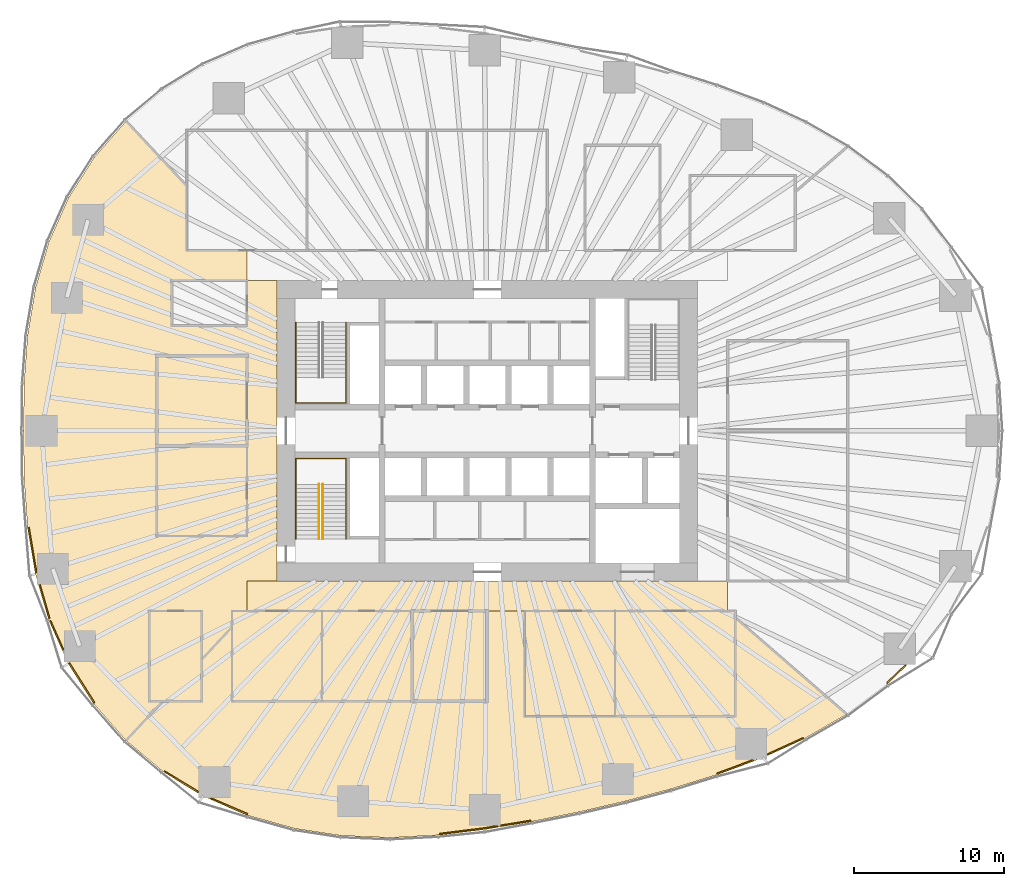
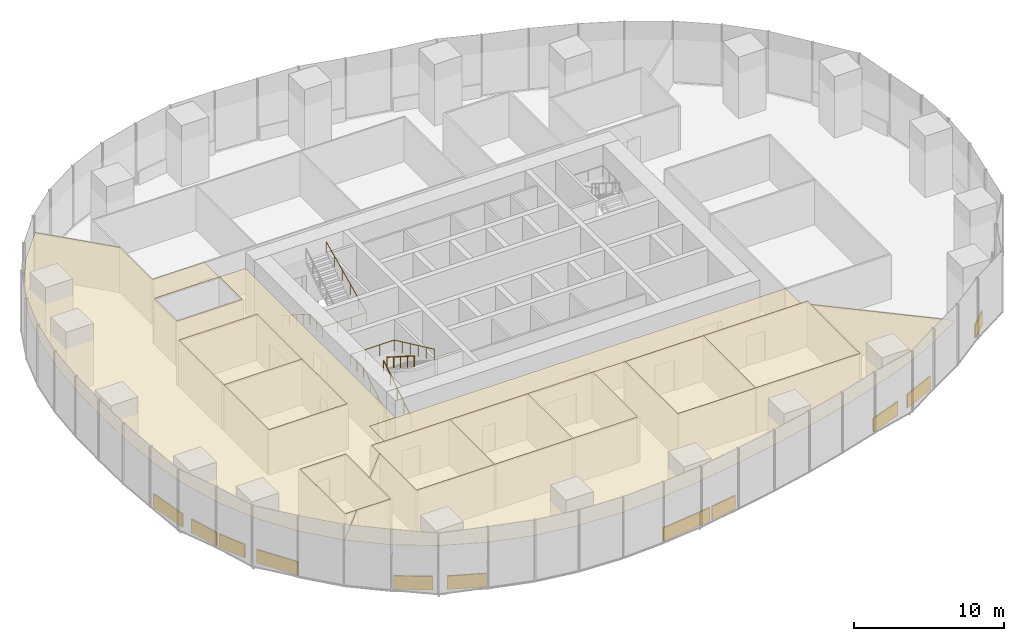
# One storey, part 17 of 20: 23 coverings, 4 railings.
"""IFC4 building model written with IfcOpenShell, lengths in metres."""

from ifc_helpers import new_model, si_unit, direction, frame, origin, origin_2d, place, context, subcontext, project, spatial, polyline, rectangle, circle, outline, extrude, material, layer, layer_set, type_object, element, save


model = new_model("IFC4")

# Units and contexts
model_context = context("Model", 3, precision=1e-05, world=origin(), true_north=direction((0.0, 1.0)))
body_context = subcontext(model_context, "Body", "Model", "MODEL_VIEW")
ifc_project = project(units=[si_unit("LENGTHUNIT", "METRE"), si_unit("AREAUNIT", "SQUARE_METRE"), si_unit("VOLUMEUNIT", "CUBIC_METRE"), si_unit("PLANEANGLEUNIT", "RADIAN"), si_unit("MASSUNIT", "GRAM", prefix="KILO")], contexts=[model_context])

# Site, building, storey
site_placement = place(None, origin())
site = spatial("IfcSite", under=ifc_project, at=site_placement, CompositionType="ELEMENT")
building_placement = place(site_placement, origin())
building = spatial("IfcBuilding", under=site, at=building_placement, Name="Ghaith Harvest Tower", CompositionType="ELEMENT")
storey_placement = place(building_placement, frame((0.0, 0.0, 30.0)))
storey = spatial("IfcBuildingStorey", under=building, at=storey_placement, Name="L06", CompositionType="ELEMENT", Elevation=30.0)

# Coverings
ifc_material_1 = material(Name="Mineral fibre ceiling tile", Category="gypsum")
ifc_layer_1 = layer(ifc_material_1, 0.02490234375)
ifc_layer_set_1 = layer_set([ifc_layer_1], Name="CEILING C2")
covering_type_1 = type_object("IfcCoveringType", Name="CEILING C2", PredefinedType="CEILING", material=ifc_layer_set_1)
covering_1_placement = place(storey_placement, frame((0.0, 0.0, 3.60009765625)))
element("IfcCovering", 1, at=covering_1_placement, inside=storey, type_object=covering_type_1, Name="Ceiling L06-07", PredefinedType="CEILING", context=body_context, shape_type="SweptSolid", body=[
    extrude(outline(polyline([(-17.0, -18.0), (-11.0, -18.0), (-11.0, -12.0), (-17.0, -12.0), (-17.0, -18.0)])), origin(), (0.0, 0.0, 1.0), 0.02490234375),
])
covering_2_placement = place(storey_placement, frame((0.0, 0.0, 3.60009765625)))
element("IfcCovering", 2, at=covering_2_placement, inside=storey, type_object=covering_type_1, Name="Ceiling L06-08", PredefinedType="CEILING", context=body_context, shape_type="SweptSolid", body=[
    extrude(outline(polyline([(-11.0, -18.0), (-5.0, -18.0), (-5.0, -12.0), (-11.0, -12.0), (-11.0, -18.0)])), origin(), (0.0, 0.0, 1.0), 0.02490234375),
])
covering_3_placement = place(storey_placement, frame((0.0, 0.0, 3.60009765625)))
element("IfcCovering", 3, at=covering_3_placement, inside=storey, type_object=covering_type_1, Name="Ceiling L06-09", PredefinedType="CEILING", context=body_context, shape_type="SweptSolid", body=[
    extrude(outline(polyline([(-5.0, -18.0), (0.0, -18.0), (0.0, -12.0), (-5.0, -12.0), (-5.0, -18.0)])), origin(), (0.0, 0.0, 1.0), 0.02490234375),
])
covering_4_placement = place(storey_placement, frame((0.0, 0.0, 3.60009765625)))
element("IfcCovering", 4, at=covering_4_placement, inside=storey, type_object=covering_type_1, Name="Ceiling L06-10", PredefinedType="CEILING", context=body_context, shape_type="SweptSolid", body=[
    extrude(outline(polyline([(2.5, -19.0), (8.5, -19.0), (8.5, -12.0), (2.5, -12.0), (2.5, -19.0)])), origin(), (0.0, 0.0, 1.0), 0.02490234375),
])
covering_5_placement = place(storey_placement, frame((0.0, 0.0, 3.60009765625)))
element("IfcCovering", 5, at=covering_5_placement, inside=storey, type_object=covering_type_1, Name="Ceiling L06-11", PredefinedType="CEILING", context=body_context, shape_type="SweptSolid", body=[
    extrude(outline(polyline([(8.5, -19.0), (16.5, -19.0), (16.5, -12.0), (8.5, -12.0), (8.5, -19.0)])), origin(), (0.0, 0.0, 1.0), 0.02490234375),
])
covering_6_placement = place(storey_placement, frame((0.0, 0.0, 3.60009765625)))
element("IfcCovering", 6, at=covering_6_placement, inside=storey, type_object=covering_type_1, Name="Ceiling L06-12", PredefinedType="CEILING", context=body_context, shape_type="SweptSolid", body=[
    extrude(outline(polyline([(-22.0, -7.0), (-16.0, -7.0), (-16.0, -1.0), (-22.0, -1.0), (-22.0, -7.0)])), origin(), (0.0, 0.0, 1.0), 0.02490234375),
])
covering_7_placement = place(storey_placement, frame((0.0, 0.0, 3.60009765625)))
element("IfcCovering", 7, at=covering_7_placement, inside=storey, type_object=covering_type_1, Name="Ceiling L06-13", PredefinedType="CEILING", context=body_context, shape_type="SweptSolid", body=[
    extrude(outline(polyline([(-22.0, -1.0), (-16.0, -1.0), (-16.0, 5.0), (-22.0, 5.0), (-22.0, -1.0)])), origin(), (0.0, 0.0, 1.0), 0.02490234375),
])
covering_8_placement = place(storey_placement, frame((0.0, 0.0, 3.60009765625)))
element("IfcCovering", 8, at=covering_8_placement, inside=storey, type_object=covering_type_1, Name="Ceiling L06-15", PredefinedType="CEILING", context=body_context, shape_type="SweptSolid", body=[
    extrude(outline(polyline([(-22.5, -18.0), (-19.0, -18.0), (-19.0, -12.0), (-22.5, -12.0), (-22.5, -18.0)])), origin(), (0.0, 0.0, 1.0), 0.02490234375),
])
covering_9_placement = place(storey_placement, frame((0.0, 0.0, 3.60009765625)))
element("IfcCovering", 9, at=covering_9_placement, inside=storey, type_object=covering_type_1, Name="Ceiling L06-C2", PredefinedType="CEILING", context=body_context, shape_type="SweptSolid", body=[
    extrude(outline(polyline([(-16.0, -10.0), (16.0, -10.0), (16.0, -12.0), (-16.0, -12.0), (-16.0, -10.0)])), origin(), (0.0, 0.0, 1.0), 0.02490234375),
])
covering_10_placement = place(storey_placement, frame((0.0, 0.0, 3.60009765625)))
element("IfcCovering", 10, at=covering_10_placement, inside=storey, type_object=covering_type_1, Name="Ceiling L06-S1", PredefinedType="CEILING", context=body_context, shape_type="SweptSolid", body=[
    extrude(outline(polyline([(-12.828125, -26.476806640625), (-15.907958984375, -25.614501953125), (-18.8935546875, -24.32763671875), (-21.59912109375, -22.671142578125), (-24.04833984375, -20.618408203125), (-21.60302734375, -18.0), (-19.0, -18.0), (-19.0, -15.21240234375), (-17.0, -13.07080078125), (-17.0, -18.0), (0.0, -18.0), (0.0, -12.0), (2.5, -12.0), (2.5, -19.0), (16.5, -19.0), (16.5, -12.43359375), (23.92431640625, -18.873046875), (21.149169921875, -20.469482421875), (18.34521484375, -21.7548828125), (15.22119140625, -22.916259765625), (12.1796875, -23.857666015625), (9.21533203125, -24.65087890625), (6.10888671875, -25.378662109375), (2.99560546875, -26.004150390625), (-0.181396484375, -26.527099609375), (-3.24755859375, -26.91064453125), (-6.4375, -27.0849609375), (-9.733642578125, -26.949951171875), (-12.828125, -26.476806640625)])), origin(), (0.0, 0.0, 1.0), 0.02490234375),
])
covering_11_placement = place(storey_placement, frame((0.0, 0.0, 3.60009765625)))
element("IfcCovering", 11, at=covering_11_placement, inside=storey, type_object=covering_type_1, Name="Ceiling L06-W1", PredefinedType="CEILING", context=body_context, shape_type="SweptSolid", body=[
    extrude(outline(polyline([(-27.881591796875, -15.507080078125), (-29.182373046875, -12.587890625), (-30.073974609375, -9.531005859375), (-30.606689453125, -6.35107421875), (-30.837158203125, -3.165771484375), (-30.875, 0.0), (-30.837158203125, 3.165771484375), (-30.606689453125, 6.35107421875), (-30.073974609375, 9.531005859375), (-29.182373046875, 12.587890625), (-27.881591796875, 15.507080078125), (-26.16455078125, 18.20556640625), (-24.04833984375, 20.618408203125), (-20.0, 16.283203125), (-20.0, 12.0), (-16.0, 12.0), (-16.0, 10.010009765625), (-21.010009765625, 10.010009765625), (-21.010009765625, 6.989990234375), (-15.989990234375, 6.989990234375), (-15.989990234375, 10.0), (-14.0, 10.0), (-14.0, -10.0), (-16.0, -10.0), (-16.0, -12.0), (-17.0, -12.0), (-17.0, -13.07080078125), (-19.0, -15.21240234375), (-19.0, -12.0), (-22.5, -12.0), (-22.5, -18.0), (-21.60302734375, -18.0), (-24.04833984375, -20.618408203125), (-26.16455078125, -18.20556640625), (-27.881591796875, -15.507080078125)]), holes=[polyline([(-16.0, -7.0), (-16.0, 5.0), (-22.0, 5.0), (-22.0, -7.0), (-16.0, -7.0)])]), origin(), (0.0, 0.0, 1.0), 0.02490234375),
])

# Railings
ifc_material_2 = material(Name="Steel, black powder-coated", Category="steel")
railing_type = type_object("IfcRailingType", Name="HANDRAIL HR1", PredefinedType="HANDRAIL", material=ifc_material_2)
railing_1_placement = place(storey_placement, frame((-12.75, 7.199951171875, 0.178466796875)))
element("IfcRailing", 12, at=railing_1_placement, inside=storey, type_object=railing_type, Name="Handrail HR1 stair ST1 L06 wall side", PredefinedType="HANDRAIL", context=body_context, shape_type="SweptSolid", body=[
    extrude(circle(Radius=0.02392578125, at=origin_2d()), frame((0.0, 0.0, 0.8759765625), z_axis=(0.0, -0.843111507901, 0.53773877045), x_axis=(1.0, 0.0, 0.0)), (0.0, 0.0, 1.0), 4.317138671875),
    extrude(circle(Radius=0.02392578125, at=origin_2d()), frame((0.0, -3.639892578125, 3.197265625), z_axis=(0.0, -1.0, 0.0), x_axis=(1.0, 0.0, 0.0)), (0.0, 0.0, 1.0), 1.7099609375),
    extrude(circle(Radius=0.02392578125, at=origin_2d()), frame((0.0, -5.349853515625, 3.197265625), z_axis=(1.0, 0.0, 0.0), x_axis=(0.0, 1.0, 0.0)), (0.0, 0.0, 1.0), 3.35009765625),
    extrude(circle(Radius=0.02392578125, at=origin_2d()), frame((3.35009765625, -5.349853515625, 3.197265625), z_axis=(0.0, 0.905962265858, 0.423358444868), x_axis=(-1.0, 0.0, 0.0)), (0.0, 0.0, 1.0), 5.9052734375),
    extrude(circle(Radius=0.02099609375, at=origin_2d()), origin(), (0.0, 0.0, 1.0), 0.851806640625),
    extrude(circle(Radius=0.02099609375, at=origin_2d()), frame((0.0, -0.909912109375, 0.580322265625)), (0.0, 0.0, 1.0), 0.851806640625),
    extrude(circle(Radius=0.02099609375, at=origin_2d()), frame((0.0, -1.81982421875, 1.16064453125)), (0.0, 0.0, 1.0), 0.851806640625),
    extrude(circle(Radius=0.02099609375, at=origin_2d()), frame((0.0, -2.72998046875, 1.7412109375)), (0.0, 0.0, 1.0), 0.851806640625),
    extrude(circle(Radius=0.02099609375, at=origin_2d()), frame((0.0, -3.639892578125, 2.321533203125)), (0.0, 0.0, 1.0), 0.851806640625),
    extrude(circle(Radius=0.02099609375, at=origin_2d()), frame((0.0, -4.494873046875, 2.321533203125)), (0.0, 0.0, 1.0), 0.851806640625),
    extrude(circle(Radius=0.02099609375, at=origin_2d()), frame((0.0, -5.349853515625, 2.321533203125)), (0.0, 0.0, 1.0), 0.851806640625),
    extrude(circle(Radius=0.02099609375, at=origin_2d()), frame((1.11669921875, -5.349853515625, 2.321533203125)), (0.0, 0.0, 1.0), 0.851806640625),
    extrude(circle(Radius=0.02099609375, at=origin_2d()), frame((2.2333984375, -5.349853515625, 2.321533203125)), (0.0, 0.0, 1.0), 0.851806640625),
    extrude(circle(Radius=0.02099609375, at=origin_2d()), frame((3.35009765625, -5.349853515625, 2.321533203125)), (0.0, 0.0, 1.0), 0.851806640625),
    extrude(circle(Radius=0.02099609375, at=origin_2d()), frame((3.35009765625, -4.27978515625, 2.821533203125)), (0.0, 0.0, 1.0), 0.851806640625),
    extrude(circle(Radius=0.02099609375, at=origin_2d()), frame((3.35009765625, -3.2099609375, 3.321533203125)), (0.0, 0.0, 1.0), 0.851806640625),
    extrude(circle(Radius=0.02099609375, at=origin_2d()), frame((3.35009765625, -2.139892578125, 3.821533203125)), (0.0, 0.0, 1.0), 0.851806640625),
    extrude(circle(Radius=0.02099609375, at=origin_2d()), frame((3.35009765625, -1.070068359375, 4.321533203125)), (0.0, 0.0, 1.0), 0.851806640625),
    extrude(circle(Radius=0.02099609375, at=origin_2d()), frame((3.35009765625, 0.0, 4.821533203125)), (0.0, 0.0, 1.0), 0.851806640625),
])
railing_2_placement = place(storey_placement, frame((-11.199951171875, -7.199951171875, 0.178466796875)))
element("IfcRailing", 13, at=railing_2_placement, inside=storey, type_object=railing_type, Name="Handrail HR1 stair ST3 L06 flight 1 inner", PredefinedType="HANDRAIL", context=body_context, shape_type="SweptSolid", body=[
    extrude(circle(Radius=0.02392578125, at=origin_2d()), frame((0.0, 0.0, 0.8759765625), z_axis=(0.0, 0.843111507901, 0.53773877045), x_axis=(-1.0, 0.0, 0.0)), (0.0, 0.0, 1.0), 4.317138671875),
    extrude(circle(Radius=0.02099609375, at=origin_2d()), origin(), (0.0, 0.0, 1.0), 0.851806640625),
    extrude(circle(Radius=0.02099609375, at=origin_2d()), frame((0.0, 0.909912109375, 0.580322265625)), (0.0, 0.0, 1.0), 0.851806640625),
    extrude(circle(Radius=0.02099609375, at=origin_2d()), frame((0.0, 1.81982421875, 1.16064453125)), (0.0, 0.0, 1.0), 0.851806640625),
    extrude(circle(Radius=0.02099609375, at=origin_2d()), frame((0.0, 2.72998046875, 1.7412109375)), (0.0, 0.0, 1.0), 0.851806640625),
    extrude(circle(Radius=0.02099609375, at=origin_2d()), frame((0.0, 3.639892578125, 2.321533203125)), (0.0, 0.0, 1.0), 0.851806640625),
])
railing_3_placement = place(storey_placement, frame((-10.949951171875, -3.56005859375, 2.678466796875)))
element("IfcRailing", 14, at=railing_3_placement, inside=storey, type_object=railing_type, Name="Handrail HR1 stair ST3 L06 flight 2 inner", PredefinedType="HANDRAIL", context=body_context, shape_type="SweptSolid", body=[
    extrude(circle(Radius=0.02392578125, at=origin_2d()), frame((0.0, 0.0, 0.8759765625), z_axis=(0.0, -0.843111507901, 0.53773877045), x_axis=(1.0, 0.0, 0.0)), (0.0, 0.0, 1.0), 4.317138671875),
    extrude(circle(Radius=0.02099609375, at=origin_2d()), origin(), (0.0, 0.0, 1.0), 0.851806640625),
    extrude(circle(Radius=0.02099609375, at=origin_2d()), frame((0.0, -0.909912109375, 0.580322265625)), (0.0, 0.0, 1.0), 0.851806640625),
    extrude(circle(Radius=0.02099609375, at=origin_2d()), frame((0.0, -1.81982421875, 1.16064453125)), (0.0, 0.0, 1.0), 0.851806640625),
    extrude(circle(Radius=0.02099609375, at=origin_2d()), frame((0.0, -2.72998046875, 1.7412109375)), (0.0, 0.0, 1.0), 0.851806640625),
    extrude(circle(Radius=0.02099609375, at=origin_2d()), frame((0.0, -3.639892578125, 2.321533203125)), (0.0, 0.0, 1.0), 0.851806640625),
])
railing_4_placement = place(storey_placement, frame((-12.75, -7.199951171875, 0.178466796875)))
element("IfcRailing", 15, at=railing_4_placement, inside=storey, type_object=railing_type, Name="Handrail HR1 stair ST3 L06 wall side", PredefinedType="HANDRAIL", context=body_context, shape_type="SweptSolid", body=[
    extrude(circle(Radius=0.02392578125, at=origin_2d()), frame((0.0, 0.0, 0.8759765625), z_axis=(0.0, 0.843111507901, 0.53773877045), x_axis=(-1.0, 0.0, 0.0)), (0.0, 0.0, 1.0), 4.317138671875),
    extrude(circle(Radius=0.02392578125, at=origin_2d()), frame((0.0, 3.639892578125, 3.197265625), z_axis=(0.0, 1.0, 0.0), x_axis=(-1.0, 0.0, 0.0)), (0.0, 0.0, 1.0), 1.7099609375),
    extrude(circle(Radius=0.02392578125, at=origin_2d()), frame((0.0, 5.349853515625, 3.197265625), z_axis=(1.0, 0.0, 0.0), x_axis=(0.0, 1.0, 0.0)), (0.0, 0.0, 1.0), 3.35009765625),
    extrude(circle(Radius=0.02392578125, at=origin_2d()), frame((3.35009765625, 5.349853515625, 3.197265625), z_axis=(0.0, -0.905962265858, 0.423358444868), x_axis=(1.0, 0.0, 0.0)), (0.0, 0.0, 1.0), 5.9052734375),
    extrude(circle(Radius=0.02099609375, at=origin_2d()), origin(), (0.0, 0.0, 1.0), 0.851806640625),
    extrude(circle(Radius=0.02099609375, at=origin_2d()), frame((0.0, 0.909912109375, 0.580322265625)), (0.0, 0.0, 1.0), 0.851806640625),
    extrude(circle(Radius=0.02099609375, at=origin_2d()), frame((0.0, 1.81982421875, 1.16064453125)), (0.0, 0.0, 1.0), 0.851806640625),
    extrude(circle(Radius=0.02099609375, at=origin_2d()), frame((0.0, 2.72998046875, 1.7412109375)), (0.0, 0.0, 1.0), 0.851806640625),
    extrude(circle(Radius=0.02099609375, at=origin_2d()), frame((0.0, 3.639892578125, 2.321533203125)), (0.0, 0.0, 1.0), 0.851806640625),
    extrude(circle(Radius=0.02099609375, at=origin_2d()), frame((0.0, 4.494873046875, 2.321533203125)), (0.0, 0.0, 1.0), 0.851806640625),
    extrude(circle(Radius=0.02099609375, at=origin_2d()), frame((0.0, 5.349853515625, 2.321533203125)), (0.0, 0.0, 1.0), 0.851806640625),
    extrude(circle(Radius=0.02099609375, at=origin_2d()), frame((1.11669921875, 5.349853515625, 2.321533203125)), (0.0, 0.0, 1.0), 0.851806640625),
    extrude(circle(Radius=0.02099609375, at=origin_2d()), frame((2.2333984375, 5.349853515625, 2.321533203125)), (0.0, 0.0, 1.0), 0.851806640625),
    extrude(circle(Radius=0.02099609375, at=origin_2d()), frame((3.35009765625, 5.349853515625, 2.321533203125)), (0.0, 0.0, 1.0), 0.851806640625),
    extrude(circle(Radius=0.02099609375, at=origin_2d()), frame((3.35009765625, 4.27978515625, 2.821533203125)), (0.0, 0.0, 1.0), 0.851806640625),
    extrude(circle(Radius=0.02099609375, at=origin_2d()), frame((3.35009765625, 3.2099609375, 3.321533203125)), (0.0, 0.0, 1.0), 0.851806640625),
    extrude(circle(Radius=0.02099609375, at=origin_2d()), frame((3.35009765625, 2.139892578125, 3.821533203125)), (0.0, 0.0, 1.0), 0.851806640625),
    extrude(circle(Radius=0.02099609375, at=origin_2d()), frame((3.35009765625, 1.070068359375, 4.321533203125)), (0.0, 0.0, 1.0), 0.851806640625),
    extrude(circle(Radius=0.02099609375, at=origin_2d()), frame((3.35009765625, 0.0, 4.821533203125)), (0.0, 0.0, 1.0), 0.851806640625),
])

# Coverings
ifc_material_3 = material(Name="Insulated aluminium spandrel panel on steel framing", Category="steel")
ifc_layer_2 = layer(ifc_material_3, 0.10009765625)
ifc_layer_set_2 = layer_set([ifc_layer_2], Name="SLAB EDGE UPSTAND 1100x100")
covering_type_2 = type_object("IfcCoveringType", Name="SLAB EDGE UPSTAND 1100x100", PredefinedType="CLADDING", material=ifc_layer_set_2)
covering_12_placement = place(storey_placement, frame((-30.2900390625, -7.9384765625, 0.0), z_axis=(0.0, 0.0, 1.0), x_axis=(0.165246181786, -0.986252350773, 0.0)))
element("IfcCovering", 16, at=covering_12_placement, inside=storey, type_object=covering_type_2, Name="Slab edge upstand 3 bay 11 L06", PredefinedType="CLADDING", context=body_context, shape_type="SweptSolid", body=[
    extrude(rectangle(XDim=3.03564453125, YDim=0.10009765625, at=origin_2d()), origin(), (0.0, 0.0, 1.0), 1.10009765625),
])
covering_13_placement = place(storey_placement, frame((-29.48828125, -11.35986328125, 0.0), z_axis=(0.0, 0.0, 1.0), x_axis=(0.280032411303, -0.95999054611, 0.0)))
element("IfcCovering", 17, at=covering_13_placement, inside=storey, type_object=covering_type_2, Name="Slab edge upstand 1 bay 12 L06", PredefinedType="CLADDING", context=body_context, shape_type="SweptSolid", body=[
    extrude(rectangle(XDim=2.3291015625, YDim=0.10009765625, at=origin_2d()), origin(), (0.0, 0.0, 1.0), 1.10009765625),
])
covering_14_placement = place(storey_placement, frame((-28.666748046875, -13.621826171875, 0.0), z_axis=(0.0, 0.0, 1.0), x_axis=(0.407003427802, -0.913426630747, 0.0)))
element("IfcCovering", 18, at=covering_14_placement, inside=storey, type_object=covering_type_2, Name="Slab edge upstand 2 bay 12 L06", PredefinedType="CLADDING", context=body_context, shape_type="SweptSolid", body=[
    extrude(rectangle(XDim=2.108642578125, YDim=0.10009765625, at=origin_2d()), origin(), (0.0, 0.0, 1.0), 1.10009765625),
])
covering_15_placement = place(storey_placement, frame((-27.0078125, -16.787353515625, 0.0), z_axis=(0.0, 0.0, 1.0), x_axis=(0.536807372204, -0.843704832952, 0.0)))
element("IfcCovering", 19, at=covering_15_placement, inside=storey, type_object=covering_type_2, Name="Slab edge upstand 3 bay 12 L06", PredefinedType="CLADDING", context=body_context, shape_type="SweptSolid", body=[
    extrude(rectangle(XDim=3.098388671875, YDim=0.10009765625, at=origin_2d()), origin(), (0.0, 0.0, 1.0), 1.10009765625),
])
covering_16_placement = place(storey_placement, frame((-20.36572265625, -23.367431640625, 0.0), z_axis=(0.0, 0.0, 1.0), x_axis=(0.852846651269, -0.522161459148, 0.0)))
element("IfcCovering", 20, at=covering_16_placement, inside=storey, type_object=covering_type_2, Name="Slab edge upstand 3 bay 13 L06", PredefinedType="CLADDING", context=body_context, shape_type="SweptSolid", body=[
    extrude(rectangle(XDim=2.630615234375, YDim=0.10009765625, at=origin_2d()), origin(), (0.0, 0.0, 1.0), 1.10009765625),
])
covering_17_placement = place(storey_placement, frame((-17.18994140625, -25.007568359375, 0.0), z_axis=(0.0, 0.0, 1.0), x_axis=(0.918306928324, -0.395869151856, 0.0)))
element("IfcCovering", 21, at=covering_17_placement, inside=storey, type_object=covering_type_2, Name="Slab edge upstand 1 bay 14 L06", PredefinedType="CLADDING", context=body_context, shape_type="SweptSolid", body=[
    extrude(rectangle(XDim=2.63525390625, YDim=0.10009765625, at=origin_2d()), origin(), (0.0, 0.0, 1.0), 1.10009765625),
])
covering_18_placement = place(storey_placement, frame((-1.671142578125, -26.6630859375, 0.0), z_axis=(0.0, 0.0, 1.0), x_axis=(0.992264868881, 0.124138752952, 0.0)))
element("IfcCovering", 22, at=covering_18_placement, inside=storey, type_object=covering_type_2, Name="Slab edge upstand 3 bay 15 L06", PredefinedType="CLADDING", context=body_context, shape_type="SweptSolid", body=[
    extrude(rectangle(XDim=2.98974609375, YDim=0.10009765625, at=origin_2d()), origin(), (0.0, 0.0, 1.0), 1.10009765625),
])
covering_19_placement = place(storey_placement, frame((0.2490234375, -26.405517578125, 0.0), z_axis=(0.0, 0.0, 1.0), x_axis=(0.98671624755, 0.162453214254, 0.0)))
element("IfcCovering", 23, at=covering_19_placement, inside=storey, type_object=covering_type_2, Name="Slab edge upstand 1 bay 16 L06", PredefinedType="CLADDING", context=body_context, shape_type="SweptSolid", body=[
    extrude(rectangle(XDim=0.88916015625, YDim=0.10009765625, at=origin_2d()), origin(), (0.0, 0.0, 1.0), 1.10009765625),
])
covering_20_placement = place(storey_placement, frame((1.891845703125, -26.135009765625, 0.0), z_axis=(0.0, 0.0, 1.0), x_axis=(0.98671624755, 0.162453214254, 0.0)))
element("IfcCovering", 24, at=covering_20_placement, inside=storey, type_object=covering_type_2, Name="Slab edge upstand 1 bay 16 L06", PredefinedType="CLADDING", context=body_context, shape_type="SweptSolid", body=[
    extrude(rectangle(XDim=2.0205078125, YDim=0.10009765625, at=origin_2d()), origin(), (0.0, 0.0, 1.0), 1.10009765625),
])
covering_21_placement = place(storey_placement, frame((16.495361328125, -22.38916015625, 0.0), z_axis=(0.0, 0.0, 1.0), x_axis=(0.937331853701, 0.348437937139, 0.0)))
element("IfcCovering", 25, at=covering_21_placement, inside=storey, type_object=covering_type_2, Name="Slab edge upstand 3 bay 17 L06", PredefinedType="CLADDING", context=body_context, shape_type="SweptSolid", body=[
    extrude(rectangle(XDim=2.555908203125, YDim=0.10009765625, at=origin_2d()), origin(), (0.0, 0.0, 1.0), 1.10009765625),
])
covering_22_placement = place(storey_placement, frame((19.84521484375, -21.01220703125, 0.0), z_axis=(0.0, 0.0, 1.0), x_axis=(0.909046054499, 0.416695657284, 0.0)))
element("IfcCovering", 26, at=covering_22_placement, inside=storey, type_object=covering_type_2, Name="Slab edge upstand 1 bay 18 L06", PredefinedType="CLADDING", context=body_context, shape_type="SweptSolid", body=[
    extrude(rectangle(XDim=2.623291015625, YDim=0.10009765625, at=origin_2d()), origin(), (0.0, 0.0, 1.0), 1.10009765625),
])
covering_23_placement = place(storey_placement, frame((27.227783203125, -16.205078125, 0.0), z_axis=(0.0, 0.0, 1.0), x_axis=(0.717386427289, 0.69667547247, 0.0)))
element("IfcCovering", 27, at=covering_23_placement, inside=storey, type_object=covering_type_2, Name="Slab edge upstand 1 bay 19 L06", PredefinedType="CLADDING", context=body_context, shape_type="SweptSolid", body=[
    extrude(rectangle(XDim=1.723388671875, YDim=0.10009765625, at=origin_2d()), origin(), (0.0, 0.0, 1.0), 1.10009765625),
])

save(model, "model.ifc")
